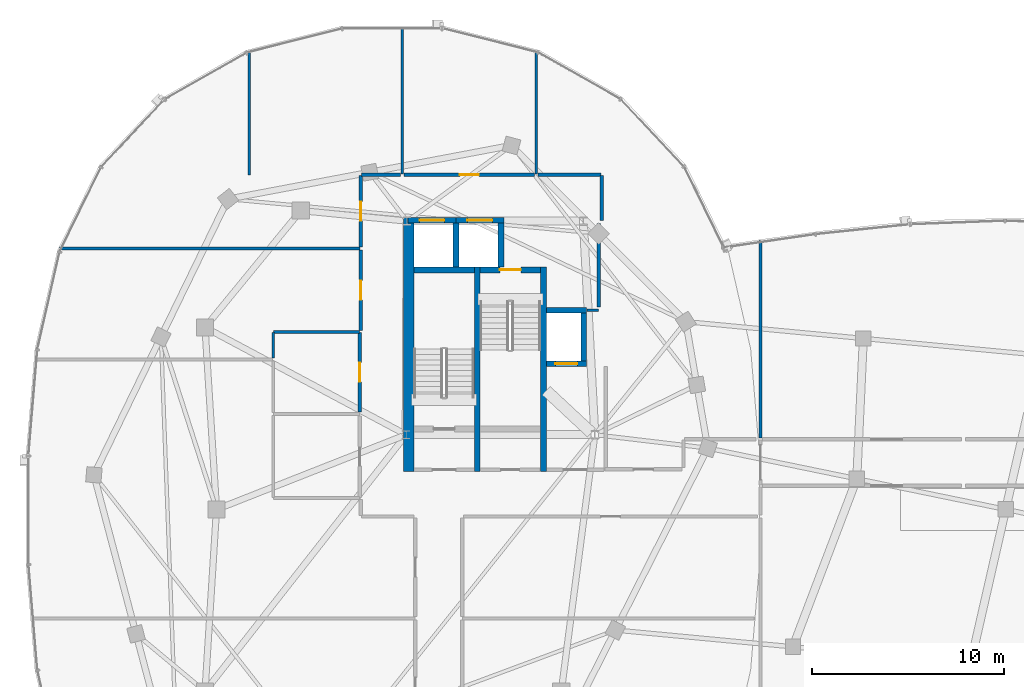
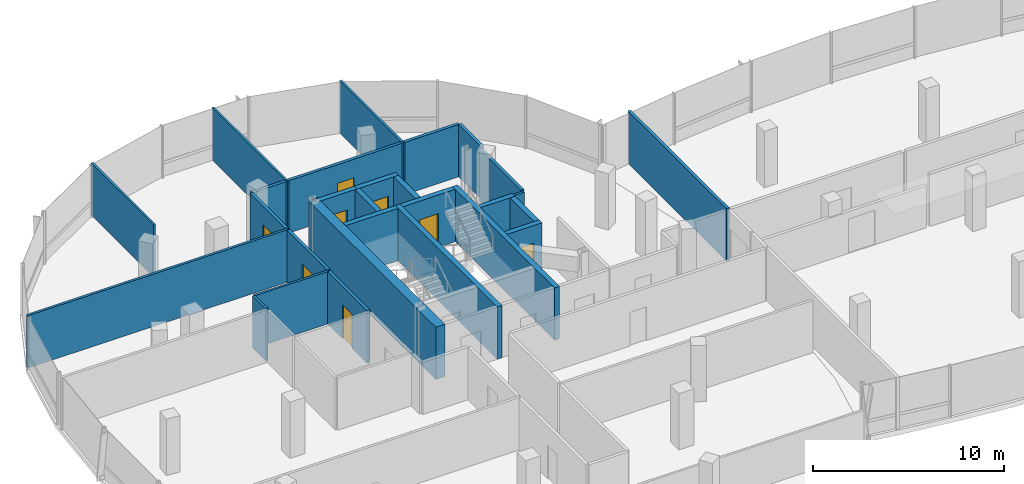
# One storey, part 15 of 26: 28 walls, 8 doors, 8 openings.
"""IFC4 building model written with IfcOpenShell, lengths in metres."""

from ifc_helpers import new_model, si_unit, direction, frame, frame_2d, origin, place, context, subcontext, project, spatial, rectangle, extrude, material, layer, layer_set, type_object, element, fill, save


model = new_model("IFC4")

# Units and contexts
model_context = context("Model", 3, precision=1e-05, world=origin(), true_north=direction((0.0, 1.0)))
body_context = subcontext(model_context, "Body", "Model", "MODEL_VIEW")
ifc_project = project(units=[si_unit("LENGTHUNIT", "METRE"), si_unit("AREAUNIT", "SQUARE_METRE"), si_unit("VOLUMEUNIT", "CUBIC_METRE"), si_unit("PLANEANGLEUNIT", "RADIAN"), si_unit("MASSUNIT", "GRAM", prefix="KILO"), si_unit("THERMODYNAMICTEMPERATUREUNIT", "KELVIN"), si_unit("POWERUNIT", "WATT")], contexts=[model_context])

# Site, building, storey
site_placement = place(None, origin())
site = spatial("IfcSite", under=ifc_project, at=site_placement, CompositionType="ELEMENT")
building_placement = place(site_placement, origin())
building = spatial("IfcBuilding", under=site, at=building_placement, Name="Cundina Bronze Exchange", CompositionType="ELEMENT")
storey_placement = place(building_placement, frame((0.0, 0.0, 264.800048828125)))
storey = spatial("IfcBuildingStorey", under=building, at=storey_placement, Name="L70", CompositionType="ELEMENT", Elevation=264.800048828125)

# Wall
ifc_material_1 = material(Name="Gypsum Fireboard Partition EI120")
ifc_layer_1 = layer(ifc_material_1, 0.179931640625, Name="Gypsum Fireboard Partition EI120")
ifc_layer_set_1 = layer_set([ifc_layer_1], Name="Gypsum Fireboard Partition EI120")
wall_type_1 = type_object("IfcWallType", Name="WL-COR-180", PredefinedType="PARTITIONING", material=ifc_layer_set_1)
wall_1_placement = place(storey_placement, frame((-21.25, 10.570068359375, 0.0), z_axis=(0.0, 0.0, 1.0), x_axis=(0.0, 1.0, 0.0)))
element("IfcWall", 1, at=wall_1_placement, inside=storey, type_object=wall_type_1, Name="L70 Interior Partition 002", PredefinedType="PARTITIONING", context=body_context, shape_type="SweptSolid", body=[
    extrude(rectangle(XDim=4.35986328125, YDim=0.179931640625, at=frame_2d((2.179931640625, 0.0))), origin(), (0.0, 0.0, 1.0), 3.33984375),
])

# Wall, opening, door
wall_2_placement = place(storey_placement, frame((-33.719970703125, 5.080078125, 0.0), z_axis=(0.0, 0.0, 1.0), x_axis=(0.0, 1.0, 0.0)))
wall_2 = element("IfcWall", 2, at=wall_2_placement, inside=storey, type_object=wall_type_1, Name="L70 Interior Partition 011", PredefinedType="PARTITIONING", context=body_context, shape_type="SweptSolid", body=[
    extrude(rectangle(XDim=4.159912109375, YDim=0.179931640625, at=frame_2d((2.080078125, 0.0))), origin(), (0.0, 0.0, 1.0), 3.33984375),
])
opening_1_placement = place(wall_2_placement, frame((1.580078125, 0.0, 0.0)))
opening_1 = element("IfcOpeningElement", 3, at=opening_1_placement, cuts=wall_2, Name="Opening DO-01", PredefinedType="OPENING", context=body_context, shape_type="SweptSolid", body=[
    extrude(rectangle(XDim=1.0, YDim=2.14990234375, at=frame_2d((0.5, 1.074951171875))), frame((0.0, 0.099853515625, 0.0), z_axis=(0.0, -1.0, 0.0), x_axis=(1.0, 0.0, 0.0)), (0.0, 0.0, 1.0), 0.199951171875),
])
ifc_material_2 = material(Name="Solid Andean Oak Timber Grade A", Category="wood")
door_type_1 = type_object("IfcDoorType", Name="DR-OFF-1000", OperationType="NOTDEFINED", PredefinedType="DOOR", material=ifc_material_2)
door_1_placement = place(opening_1_placement, origin())
door_1 = element("IfcDoor", 4, at=door_1_placement, inside=storey, type_object=door_type_1, Name="L70 Interior Door 011", OperationType="SINGLE_SWING_RIGHT", OverallHeight=2.14990234375, OverallWidth=1.0, PredefinedType="DOOR", context=body_context, shape_type="SweptSolid", body=[
    extrude(rectangle(XDim=1.0, YDim=2.14990234375, at=frame_2d((0.5, 1.074951171875))), frame((0.0, 0.02490234375, 0.0), z_axis=(0.0, -1.0, 0.0), x_axis=(1.0, 0.0, 0.0)), (0.0, 0.0, 1.0), 0.050048828125),
])
fill(opening_1, door_1)

wall_3_placement = place(storey_placement, frame((-33.669921875, 13.530029296875, 0.0), z_axis=(0.0, 0.0, 1.0), x_axis=(0.0, -1.0, 0.0)))
wall_3 = element("IfcWall", 5, at=wall_3_placement, inside=storey, type_object=wall_type_1, Name="L70 Interior Partition 027", PredefinedType="PARTITIONING", context=body_context, shape_type="SweptSolid", body=[
    extrude(rectangle(XDim=4.1787109375, YDim=0.179931640625, at=frame_2d((2.08935546875, 0.0))), origin(), (0.0, 0.0, 1.0), 3.33984375),
])
opening_2_placement = place(wall_3_placement, frame((1.58935546875, 0.0, 0.0)))
opening_2 = element("IfcOpeningElement", 6, at=opening_2_placement, cuts=wall_3, Name="Opening DO-01", PredefinedType="OPENING", context=body_context, shape_type="SweptSolid", body=[
    extrude(rectangle(XDim=1.0, YDim=2.14990234375, at=frame_2d((0.5, 1.074951171875))), frame((0.0, 0.099853515625, 0.0), z_axis=(0.0, -1.0, 0.0), x_axis=(1.0, 0.0, 0.0)), (0.0, 0.0, 1.0), 0.199951171875),
])
door_2_placement = place(opening_2_placement, origin())
door_2 = element("IfcDoor", 7, at=door_2_placement, inside=storey, type_object=door_type_1, Name="L70 Interior Door 027", OperationType="SINGLE_SWING_LEFT", OverallHeight=2.14990234375, OverallWidth=1.0, PredefinedType="DOOR", context=body_context, shape_type="SweptSolid", body=[
    extrude(rectangle(XDim=1.0, YDim=2.14990234375, at=frame_2d((0.5, 1.074951171875))), frame((0.0, 0.02490234375, 0.0), z_axis=(0.0, -1.0, 0.0), x_axis=(1.0, 0.0, 0.0)), (0.0, 0.0, 1.0), 0.050048828125),
])
fill(opening_2, door_2)

# Walls
wall_4_placement = place(storey_placement, frame((-21.12158203125, 17.469970703125, 0.0), z_axis=(0.0, 0.0, 1.0), x_axis=(-1.0, 0.0, 0.0)))
element("IfcWall", 8, at=wall_4_placement, inside=storey, type_object=wall_type_1, Name="L70 Interior Partition 030", PredefinedType="PARTITIONING", context=body_context, shape_type="SweptSolid", body=[
    extrude(rectangle(XDim=3.288330078125, YDim=0.179931640625, at=frame_2d((1.64404296875, 0.0))), origin(), (0.0, 0.0, 1.0), 3.33984375),
])
wall_5_placement = place(storey_placement, frame((-21.080078125, 15.071533203125, 0.0), z_axis=(0.0, 0.0, 1.0), x_axis=(0.0, 1.0, 0.0)))
element("IfcWall", 9, at=wall_5_placement, inside=storey, type_object=wall_type_1, Name="L70 Interior Partition 031", PredefinedType="PARTITIONING", context=body_context, shape_type="SweptSolid", body=[
    extrude(rectangle(XDim=2.35693359375, YDim=0.179931640625, at=frame_2d((1.178466796875, 0.0))), origin(), (0.0, 0.0, 1.0), 3.33984375),
])

# Wall, opening, door
wall_6_placement = place(storey_placement, frame((-33.669921875, 17.428466796875, 0.0), z_axis=(0.0, 0.0, 1.0), x_axis=(0.0, -1.0, 0.0)))
wall_6 = element("IfcWall", 10, at=wall_6_placement, inside=storey, type_object=wall_type_1, Name="L70 Interior Partition 033", PredefinedType="PARTITIONING", context=body_context, shape_type="SweptSolid", body=[
    extrude(rectangle(XDim=3.718505859375, YDim=0.179931640625, at=frame_2d((1.859375, 0.0))), origin(), (0.0, 0.0, 1.0), 3.33984375),
])
opening_3_placement = place(wall_6_placement, frame((1.359130859375, 0.0, 0.0)))
opening_3 = element("IfcOpeningElement", 11, at=opening_3_placement, cuts=wall_6, Name="Opening DO-01", PredefinedType="OPENING", context=body_context, shape_type="SweptSolid", body=[
    extrude(rectangle(XDim=1.0, YDim=2.14990234375, at=frame_2d((0.5, 1.074951171875))), frame((0.0, 0.099853515625, 0.0), z_axis=(0.0, -1.0, 0.0), x_axis=(1.0, 0.0, 0.0)), (0.0, 0.0, 1.0), 0.199951171875),
])
door_3_placement = place(opening_3_placement, origin())
door_3 = element("IfcDoor", 12, at=door_3_placement, inside=storey, type_object=door_type_1, Name="L70 Interior Door 033", OperationType="SINGLE_SWING_LEFT", OverallHeight=2.14990234375, OverallWidth=1.0, PredefinedType="DOOR", context=body_context, shape_type="SweptSolid", body=[
    extrude(rectangle(XDim=1.0, YDim=2.14990234375, at=frame_2d((0.5, 1.074951171875))), frame((0.0, 0.02490234375, 0.0), z_axis=(0.0, -1.0, 0.0), x_axis=(1.0, 0.0, 0.0)), (0.0, 0.0, 1.0), 0.050048828125),
])
fill(opening_3, door_3)

# Wall
wall_7_placement = place(storey_placement, frame((-31.590087890625, 17.469970703125, 0.0), z_axis=(0.0, 0.0, 1.0), x_axis=(-1.0, 0.0, 0.0)))
element("IfcWall", 13, at=wall_7_placement, inside=storey, type_object=wall_type_1, Name="L70 Interior Partition 034", PredefinedType="PARTITIONING", context=body_context, shape_type="SweptSolid", body=[
    extrude(rectangle(XDim=2.038330078125, YDim=0.179931640625, at=frame_2d((1.01904296875, 0.0))), origin(), (0.0, 0.0, 1.0), 3.33984375),
])

# Wall, opening, door
wall_8_placement = place(storey_placement, frame((-24.590087890625, 17.469970703125, 0.0), z_axis=(0.0, 0.0, 1.0), x_axis=(-1.0, 0.0, 0.0)))
wall_8 = element("IfcWall", 14, at=wall_8_placement, inside=storey, type_object=wall_type_1, Name="L70 Interior Partition 035", PredefinedType="PARTITIONING", context=body_context, shape_type="SweptSolid", body=[
    extrude(rectangle(XDim=6.81982421875, YDim=0.179931640625, at=frame_2d((3.409912109375, 0.0))), origin(), (0.0, 0.0, 1.0), 3.33984375),
])
opening_4_placement = place(wall_8_placement, frame((2.909912109375, 0.0, 0.0)))
opening_4 = element("IfcOpeningElement", 15, at=opening_4_placement, cuts=wall_8, Name="Opening DO-01", PredefinedType="OPENING", context=body_context, shape_type="SweptSolid", body=[
    extrude(rectangle(XDim=1.0, YDim=2.14990234375, at=frame_2d((0.5, 1.074951171875))), frame((0.0, 0.099853515625, 0.0), z_axis=(0.0, -1.0, 0.0), x_axis=(1.0, 0.0, 0.0)), (0.0, 0.0, 1.0), 0.199951171875),
])
door_4_placement = place(opening_4_placement, origin())
door_4 = element("IfcDoor", 16, at=door_4_placement, inside=storey, type_object=door_type_1, Name="L70 Interior Door 035", OperationType="SINGLE_SWING_LEFT", OverallHeight=2.14990234375, OverallWidth=1.0, PredefinedType="DOOR", context=body_context, shape_type="SweptSolid", body=[
    extrude(rectangle(XDim=1.0, YDim=2.14990234375, at=frame_2d((0.5, 1.074951171875))), frame((0.0, 0.02490234375, 0.0), z_axis=(0.0, -1.0, 0.0), x_axis=(1.0, 0.0, 0.0)), (0.0, 0.0, 1.0), 0.050048828125),
])
fill(opening_4, door_4)

# Walls
wall_9_placement = place(storey_placement, frame((-12.800048828125, 3.739990234375, 0.0), z_axis=(0.0, 0.0, 1.0), x_axis=(0.0, 1.0, 0.0)))
element("IfcWall", 17, at=wall_9_placement, inside=storey, type_object=wall_type_1, Name="L70 Interior Partition 081", PredefinedType="PARTITIONING", context=body_context, shape_type="SweptSolid", body=[
    extrude(rectangle(XDim=10.3037109375, YDim=0.179931640625, at=frame_2d((5.15185546875, 0.0))), origin(), (0.0, 0.0, 1.0), 3.33984375),
])
ifc_material_3 = material(Name="Concrete C50/60", Category="concrete")
ifc_layer_2 = layer(ifc_material_3, 0.550048828125, Name="Concrete C50/60", Category="concrete")
ifc_layer_set_2 = layer_set([ifc_layer_2], Name="Concrete C50/60")
wall_type_2 = type_object("IfcWallType", Name="WL-CORE-550", PredefinedType="SHEAR", material=ifc_layer_set_2)
wall_10_placement = place(storey_placement, frame((-31.175048828125, 1.969970703125, 0.0), z_axis=(0.0, 0.0, 1.0), x_axis=(0.0, 1.0, 0.0)))
element("IfcWall", 18, at=wall_10_placement, inside=storey, type_object=wall_type_2, Name="L70 W Primary Core Shear Spine Wall", PredefinedType="SHEAR", context=body_context, shape_type="SweptSolid", body=[
    extrude(rectangle(XDim=13.330078125, YDim=0.550048828125, at=frame_2d((6.6650390625, 0.0))), origin(), (0.0, 0.0, 1.0), 3.33984375),
])
ifc_material_4 = material(Name="Gypsum Acoustic Partition EI60")
ifc_layer_3 = layer(ifc_material_4, 0.125, Name="Gypsum Acoustic Partition EI60")
ifc_layer_set_3 = layer_set([ifc_layer_3], Name="Gypsum Acoustic Partition EI60")
wall_type_3 = type_object("IfcWallType", Name="WL-OFF-125", PredefinedType="PARTITIONING", material=ifc_layer_set_3)
wall_11_placement = place(storey_placement, frame((-39.5, 17.469970703125, 0.0), z_axis=(0.0, 0.0, 1.0), x_axis=(0.0, 1.0, 0.0)))
element("IfcWall", 19, at=wall_11_placement, inside=storey, type_object=wall_type_3, Name="L70 Interior Partition 016", PredefinedType="PARTITIONING", context=body_context, shape_type="SweptSolid", body=[
    extrude(rectangle(XDim=6.49267578125, YDim=0.125, at=frame_2d((3.246337890625, 0.0))), origin(), (0.0, 0.0, 1.0), 3.33984375),
])
wall_12_placement = place(storey_placement, frame((-31.5, 17.5, 0.0), z_axis=(0.0, 0.0, 1.0), x_axis=(0.0, 1.0, 0.0)))
element("IfcWall", 20, at=wall_12_placement, inside=storey, type_object=wall_type_3, Name="L70 Interior Partition 017", PredefinedType="PARTITIONING", context=body_context, shape_type="SweptSolid", body=[
    extrude(rectangle(XDim=7.68994140625, YDim=0.125, at=frame_2d((3.844970703125, 0.0))), origin(), (0.0, 0.0, 1.0), 3.33984375),
])
wall_13_placement = place(storey_placement, frame((-24.5, 17.5, 0.0), z_axis=(0.0, 0.0, 1.0), x_axis=(0.0, 1.0, 0.0)))
element("IfcWall", 21, at=wall_13_placement, inside=storey, type_object=wall_type_3, Name="L70 Interior Partition 018", PredefinedType="PARTITIONING", context=body_context, shape_type="SweptSolid", body=[
    extrude(rectangle(XDim=6.462646484375, YDim=0.125, at=frame_2d((3.2314453125, 0.0))), origin(), (0.0, 0.0, 1.0), 3.33984375),
])
ifc_layer_4 = layer(ifc_material_3, 0.300048828125, Name="Concrete C50/60", Category="concrete")
ifc_layer_set_4 = layer_set([ifc_layer_4], Name="Concrete C50/60")
wall_type_4 = type_object("IfcWallType", Name="WL-SHFT-300", PredefinedType="SHEAR", material=ifc_layer_set_4)
for number, where, z_axis, x_axis, name in (
    (22, (-27.590087890625, 1.969970703125, 0.0), (0.0, 0.0, 1.0), (0.0, 1.0, 0.0), "L70 W Stair Shaft Dividing Shear Wall"),
    (23, (-24.1298828125, 1.969970703125, 0.0), (0.0, 0.0, 1.0), (0.0, 1.0, 0.0), "L70 W Stair 2 East Shear Wall"),
):
    element("IfcWall", number, at=place(storey_placement, frame(where, z_axis=z_axis, x_axis=x_axis)), inside=storey, type_object=wall_type_4, Name=name, PredefinedType="SHEAR", context=body_context, shape_type="SweptSolid", body=[
        extrude(rectangle(XDim=10.679931640625, YDim=0.300048828125, at=frame_2d((5.33984375, 0.0))), origin(), (0.0, 0.0, 1.0), 3.33984375),
    ])
wall_14_placement = place(storey_placement, frame((-30.89990234375, 12.5, 0.0), z_axis=(0.0, 0.0, 1.0), x_axis=(1.0, 0.0, 0.0)))
element("IfcWall", 24, at=wall_14_placement, inside=storey, type_object=wall_type_4, Name="L70 Stair W1 Far Shaft Wall", PredefinedType="SHEAR", context=body_context, shape_type="SweptSolid", body=[
    extrude(rectangle(XDim=3.159912109375, YDim=0.300048828125, at=frame_2d((1.580078125, 0.0))), origin(), (0.0, 0.0, 1.0), 3.33984375),
])

# Wall, opening, door
wall_15_placement = place(storey_placement, frame((-27.43994140625, 12.5, 0.0), z_axis=(0.0, 0.0, 1.0), x_axis=(1.0, 0.0, 0.0)))
wall_15 = element("IfcWall", 25, at=wall_15_placement, inside=storey, type_object=wall_type_4, Name="L70 Stair W2 Landing Wall", PredefinedType="SHEAR", context=body_context, shape_type="SweptSolid", body=[
    extrude(rectangle(XDim=3.159912109375, YDim=0.300048828125, at=frame_2d((1.580078125, 0.0))), origin(), (0.0, 0.0, 1.0), 3.33984375),
])
opening_5_placement = place(wall_15_placement, frame((1.030029296875, 0.0, 0.0)))
opening_5 = element("IfcOpeningElement", 26, at=opening_5_placement, cuts=wall_15, Name="Opening DS-01", PredefinedType="OPENING", context=body_context, shape_type="SweptSolid", body=[
    extrude(rectangle(XDim=1.10009765625, YDim=2.14990234375, at=frame_2d((0.550048828125, 1.074951171875))), frame((0.0, 0.159912109375, 0.0), z_axis=(0.0, -1.0, 0.0), x_axis=(1.0, 0.0, 0.0)), (0.0, 0.0, 1.0), 0.320068359375),
])
ifc_material_5 = material(Name="Steel ASTM A36 Painted", Category="steel")
door_type_2 = type_object("IfcDoorType", Name="DR-STR-1100", OperationType="NOTDEFINED", PredefinedType="DOOR", material=ifc_material_5)
door_5_placement = place(opening_5_placement, origin())
door_5 = element("IfcDoor", 27, at=door_5_placement, inside=storey, type_object=door_type_2, Name="L70 Smokeproof Stair W2 Door", OperationType="SINGLE_SWING_LEFT", OverallHeight=2.14990234375, OverallWidth=1.10009765625, PredefinedType="DOOR", context=body_context, shape_type="SweptSolid", body=[
    extrude(rectangle(XDim=1.10009765625, YDim=2.14990234375, at=frame_2d((0.550048828125, 1.074951171875))), frame((0.0, 0.02490234375, 0.0), z_axis=(0.0, -1.0, 0.0), x_axis=(1.0, 0.0, 0.0)), (0.0, 0.0, 1.0), 0.050048828125),
])
fill(opening_5, door_5)

wall_16_placement = place(storey_placement, frame((-23.97998046875, 7.60009765625, 0.0), z_axis=(0.0, 0.0, 1.0), x_axis=(1.0, 0.0, 0.0)))
wall_16 = element("IfcWall", 28, at=wall_16_placement, inside=storey, type_object=wall_type_4, Name="L70 FFL-W Hoistway Front Wall", PredefinedType="SHEAR", context=body_context, shape_type="SweptSolid", body=[
    extrude(rectangle(XDim=2.10009765625, YDim=0.300048828125, at=frame_2d((1.050048828125, 0.0))), origin(), (0.0, 0.0, 1.0), 3.33984375),
])
opening_6_placement = place(wall_16_placement, frame((0.47509765625, 0.0, 0.0)))
opening_6 = element("IfcOpeningElement", 29, at=opening_6_placement, cuts=wall_16, Name="Opening LD-01", PredefinedType="OPENING", context=body_context, shape_type="SweptSolid", body=[
    extrude(rectangle(XDim=1.14990234375, YDim=2.199951171875, at=frame_2d((0.574951171875, 1.10009765625))), frame((0.0, 0.159912109375, 0.0), z_axis=(0.0, -1.0, 0.0), x_axis=(1.0, 0.0, 0.0)), (0.0, 0.0, 1.0), 0.320068359375),
])
door_type_3 = type_object("IfcDoorType", Name="DR-LND-1150", OperationType="NOTDEFINED", PredefinedType="TRAPDOOR", material=ifc_material_5)
door_6_placement = place(opening_6_placement, origin())
door_6 = element("IfcDoor", 30, at=door_6_placement, inside=storey, type_object=door_type_3, Name="L70 FFL-W Sliding Landing Door", OperationType="SLIDING_TO_LEFT", OverallHeight=2.199951171875, OverallWidth=1.14990234375, PredefinedType="TRAPDOOR", context=body_context, shape_type="SweptSolid", body=[
    extrude(rectangle(XDim=1.14990234375, YDim=2.199951171875, at=frame_2d((0.574951171875, 1.10009765625))), frame((0.0, 0.02490234375, 0.0), z_axis=(0.0, -1.0, 0.0), x_axis=(1.0, 0.0, 0.0)), (0.0, 0.0, 1.0), 0.050048828125),
])
fill(opening_6, door_6)

# Walls
wall_17_placement = place(storey_placement, frame((-23.97998046875, 10.39990234375, 0.0), z_axis=(0.0, 0.0, 1.0), x_axis=(1.0, 0.0, 0.0)))
element("IfcWall", 31, at=wall_17_placement, inside=storey, type_object=wall_type_4, Name="L70 FFL-W Hoistway Back Wall", PredefinedType="SHEAR", context=body_context, shape_type="SweptSolid", body=[
    extrude(rectangle(XDim=2.10009765625, YDim=0.300048828125, at=frame_2d((1.050048828125, 0.0))), origin(), (0.0, 0.0, 1.0), 3.33984375),
])
wall_18_placement = place(storey_placement, frame((-22.030029296875, 7.75, 0.0), z_axis=(0.0, 0.0, 1.0), x_axis=(0.0, 1.0, 0.0)))
element("IfcWall", 32, at=wall_18_placement, inside=storey, type_object=wall_type_4, Name="L70 FFL-W Hoistway Side Wall", PredefinedType="SHEAR", context=body_context, shape_type="SweptSolid", body=[
    extrude(rectangle(XDim=2.5, YDim=0.300048828125, at=frame_2d((1.25, 0.0))), origin(), (0.0, 0.0, 1.0), 3.33984375),
])

# Wall, opening, door
wall_19_placement = place(storey_placement, frame((-31.199951171875, 15.10009765625, 0.0), z_axis=(0.0, 0.0, 1.0), x_axis=(1.0, 0.0, 0.0)))
wall_19 = element("IfcWall", 33, at=wall_19_placement, inside=storey, type_object=wall_type_4, Name="L70 PH-W1 Hoistway Front Wall", PredefinedType="SHEAR", context=body_context, shape_type="SweptSolid", body=[
    extrude(rectangle(XDim=2.5, YDim=0.300048828125, at=frame_2d((1.25, 0.0))), origin(), (0.0, 0.0, 1.0), 3.33984375),
])
opening_7_placement = place(wall_19_placement, frame((0.60009765625, 0.0, 0.0)))
opening_7 = element("IfcOpeningElement", 34, at=opening_7_placement, cuts=wall_19, Name="Opening LD-02", PredefinedType="OPENING", context=body_context, shape_type="SweptSolid", body=[
    extrude(rectangle(XDim=1.300048828125, YDim=2.199951171875, at=frame_2d((0.64990234375, 1.10009765625))), frame((0.0, 0.159912109375, 0.0), z_axis=(0.0, -1.0, 0.0), x_axis=(1.0, 0.0, 0.0)), (0.0, 0.0, 1.0), 0.320068359375),
])
door_type_4 = type_object("IfcDoorType", Name="DR-LND-1300", OperationType="NOTDEFINED", PredefinedType="TRAPDOOR", material=ifc_material_5)
door_7_placement = place(opening_7_placement, origin())
door_7 = element("IfcDoor", 35, at=door_7_placement, inside=storey, type_object=door_type_4, Name="L70 PH-W1 Sliding Landing Door", OperationType="SLIDING_TO_LEFT", OverallHeight=2.199951171875, OverallWidth=1.300048828125, PredefinedType="TRAPDOOR", context=body_context, shape_type="SweptSolid", body=[
    extrude(rectangle(XDim=1.300048828125, YDim=2.199951171875, at=frame_2d((0.64990234375, 1.10009765625))), frame((0.0, 0.02490234375, 0.0), z_axis=(0.0, -1.0, 0.0), x_axis=(1.0, 0.0, 0.0)), (0.0, 0.0, 1.0), 0.050048828125),
])
fill(opening_7, door_7)

# Wall
wall_20_placement = place(storey_placement, frame((-28.699951171875, 12.64990234375, 0.0), z_axis=(0.0, 0.0, 1.0), x_axis=(0.0, 1.0, 0.0)))
element("IfcWall", 36, at=wall_20_placement, inside=storey, type_object=wall_type_4, Name="L70 PH-W1 Hoistway Divider Wall", PredefinedType="SHEAR", context=body_context, shape_type="SweptSolid", body=[
    extrude(rectangle(XDim=2.300048828125, YDim=0.300048828125, at=frame_2d((1.14990234375, 0.0))), origin(), (0.0, 0.0, 1.0), 3.33984375),
])

# Wall, opening, door
wall_21_placement = place(storey_placement, frame((-28.699951171875, 15.10009765625, 0.0), z_axis=(0.0, 0.0, 1.0), x_axis=(1.0, 0.0, 0.0)))
wall_21 = element("IfcWall", 37, at=wall_21_placement, inside=storey, type_object=wall_type_4, Name="L70 PH-W2 Hoistway Front Wall", PredefinedType="SHEAR", context=body_context, shape_type="SweptSolid", body=[
    extrude(rectangle(XDim=2.5, YDim=0.300048828125, at=frame_2d((1.25, 0.0))), origin(), (0.0, 0.0, 1.0), 3.33984375),
])
opening_8_placement = place(wall_21_placement, frame((0.60009765625, 0.0, 0.0)))
opening_8 = element("IfcOpeningElement", 38, at=opening_8_placement, cuts=wall_21, Name="Opening LD-02", PredefinedType="OPENING", context=body_context, shape_type="SweptSolid", body=[
    extrude(rectangle(XDim=1.300048828125, YDim=2.199951171875, at=frame_2d((0.64990234375, 1.10009765625))), frame((0.0, 0.159912109375, 0.0), z_axis=(0.0, -1.0, 0.0), x_axis=(1.0, 0.0, 0.0)), (0.0, 0.0, 1.0), 0.320068359375),
])
door_8_placement = place(opening_8_placement, origin())
door_8 = element("IfcDoor", 39, at=door_8_placement, inside=storey, type_object=door_type_4, Name="L70 PH-W2 Sliding Landing Door", OperationType="SLIDING_TO_LEFT", OverallHeight=2.199951171875, OverallWidth=1.300048828125, PredefinedType="TRAPDOOR", context=body_context, shape_type="SweptSolid", body=[
    extrude(rectangle(XDim=1.300048828125, YDim=2.199951171875, at=frame_2d((0.64990234375, 1.10009765625))), frame((0.0, 0.02490234375, 0.0), z_axis=(0.0, -1.0, 0.0), x_axis=(1.0, 0.0, 0.0)), (0.0, 0.0, 1.0), 0.050048828125),
])
fill(opening_8, door_8)

# Walls
wall_22_placement = place(storey_placement, frame((-26.35009765625, 12.64990234375, 0.0), z_axis=(0.0, 0.0, 1.0), x_axis=(0.0, 1.0, 0.0)))
element("IfcWall", 40, at=wall_22_placement, inside=storey, type_object=wall_type_4, Name="L70 PH-W2 Hoistway Divider Wall", PredefinedType="SHEAR", context=body_context, shape_type="SweptSolid", body=[
    extrude(rectangle(XDim=2.300048828125, YDim=0.300048828125, at=frame_2d((1.14990234375, 0.0))), origin(), (0.0, 0.0, 1.0), 3.33984375),
])
ifc_layer_5 = layer(ifc_material_4, 0.14990234375, Name="Gypsum Acoustic Partition EI60")
ifc_layer_set_5 = layer_set([ifc_layer_5], Name="Gypsum Acoustic Partition EI60")
wall_type_5 = type_object("IfcWallType", Name="WL-TEN-150", PredefinedType="PARTITIONING", material=ifc_layer_set_5)
wall_23_placement = place(storey_placement, frame((-49.403564453125, 13.6201171875, 0.0), z_axis=(0.0, 0.0, 1.0), x_axis=(1.0, 0.0, 0.0)))
element("IfcWall", 41, at=wall_23_placement, inside=storey, type_object=wall_type_5, Name="L70 Interior Partition 015", PredefinedType="PARTITIONING", context=body_context, shape_type="SweptSolid", body=[
    extrude(rectangle(XDim=15.70361328125, YDim=0.14990234375, at=frame_2d((7.851806640625, 0.0))), origin(), (0.0, 0.0, 1.0), 3.33984375),
])
ifc_material_6 = material(Name="Moisture-Resistant Masonry Block Grade M15", Category="masonry")
ifc_layer_6 = layer(ifc_material_6, 0.139892578125, Name="Moisture-Resistant Masonry Block Grade M15", Category="masonry")
ifc_layer_set_6 = layer_set([ifc_layer_6], Name="Moisture-Resistant Masonry Block Grade M15")
wall_type_6 = type_object("IfcWallType", Name="WL-WET-140", PredefinedType="PARTITIONING", material=ifc_layer_set_6)
wall_24_placement = place(storey_placement, frame((-21.860107421875, 10.39990234375, 0.0), z_axis=(0.0, 0.0, 1.0), x_axis=(1.0, 0.0, 0.0)))
element("IfcWall", 42, at=wall_24_placement, inside=storey, type_object=wall_type_6, Name="L70 Interior Partition 001", PredefinedType="PARTITIONING", context=body_context, shape_type="SweptSolid", body=[
    extrude(rectangle(XDim=0.590087890625, YDim=0.139892578125, at=frame_2d((0.294921875, 0.0))), origin(), (0.0, 0.0, 1.0), 3.33984375),
])
wall_25_placement = place(storey_placement, frame((-38.239990234375, 7.905029296875, 0.0), z_axis=(0.0, 0.0, 1.0), x_axis=(0.0, 1.0, 0.0)))
element("IfcWall", 43, at=wall_25_placement, inside=storey, type_object=wall_type_6, Name="L70 Interior Partition 006", PredefinedType="PARTITIONING", context=body_context, shape_type="SweptSolid", body=[
    extrude(rectangle(XDim=1.3349609375, YDim=0.139892578125, at=frame_2d((0.66748046875, 0.0))), origin(), (0.0, 0.0, 1.0), 3.33984375),
])
wall_26_placement = place(storey_placement, frame((-38.219970703125, 9.260009765625, 0.0), z_axis=(0.0, 0.0, 1.0), x_axis=(1.0, 0.0, 0.0)))
element("IfcWall", 44, at=wall_26_placement, inside=storey, type_object=wall_type_6, Name="L70 Interior Partition 009", PredefinedType="PARTITIONING", context=body_context, shape_type="SweptSolid", body=[
    extrude(rectangle(XDim=4.47998046875, YDim=0.139892578125, at=frame_2d((2.239990234375, 0.0))), origin(), (0.0, 0.0, 1.0), 3.33984375),
])

save(model, "model.ifc")
